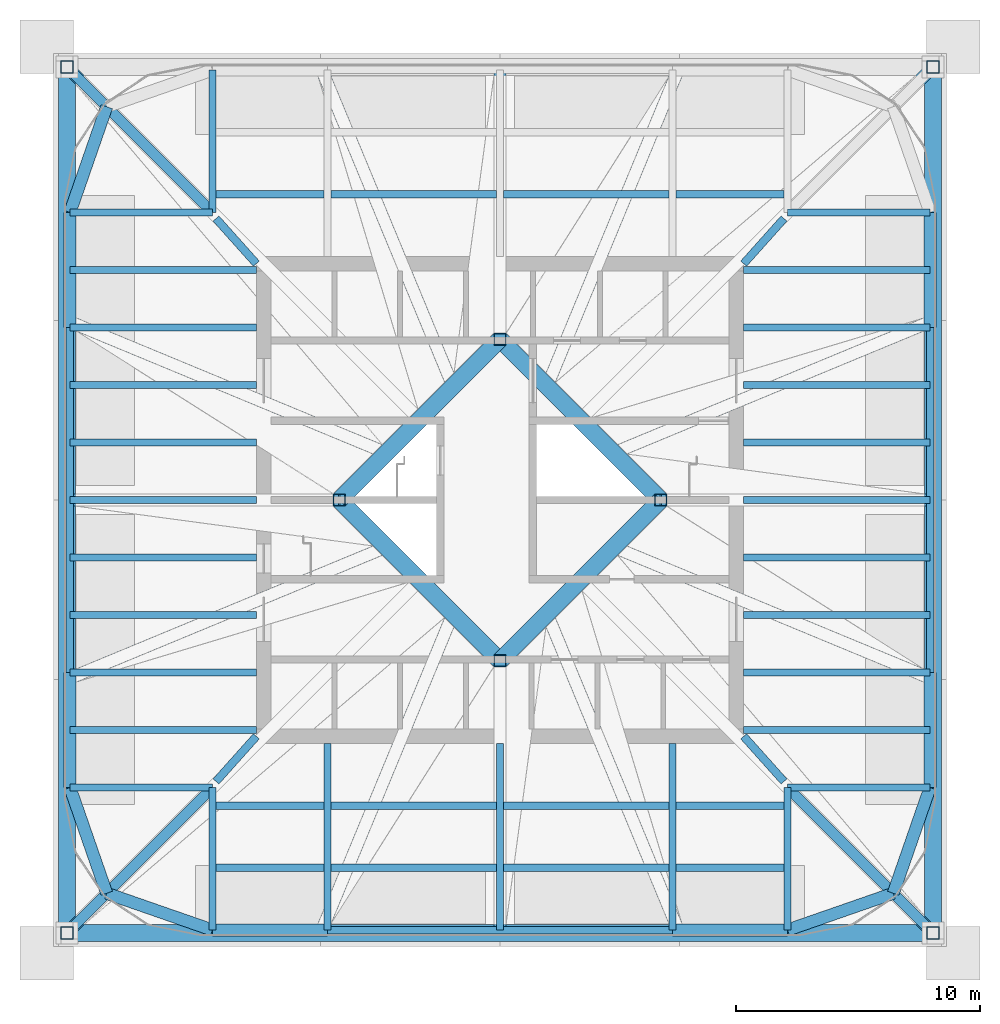
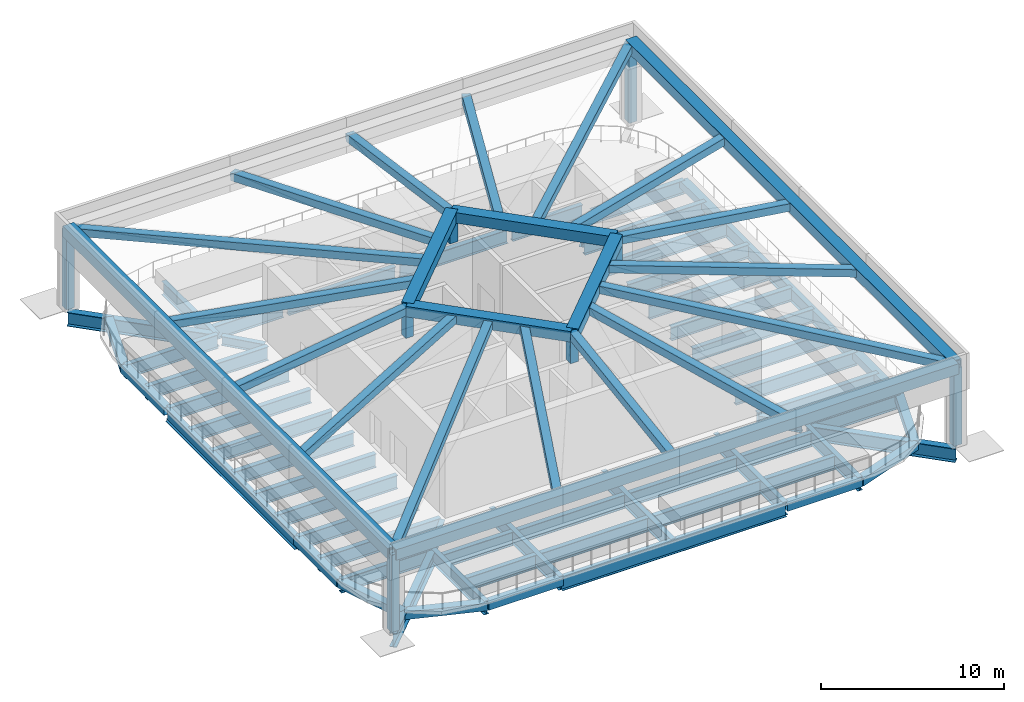
# One storey, part 1 of 7: 61 beams, 23 members, 8 columns.
"""IFC4 building model written with IfcOpenShell, lengths in metres."""

from ifc_helpers import new_model, si_unit, direction, frame, origin, origin_2d, place, context, subcontext, project, spatial, hollow_rectangle, i_section, extrude, clip, halfspace, material, material_profile, profile_set, type_object, element, save


model = new_model("IFC4")

# Units and contexts
model_context = context("Model", 3, precision=1e-05, world=origin(), true_north=direction((0.0, 1.0)))
body_context = subcontext(model_context, "Body", "Model", "MODEL_VIEW")
ifc_project = project(units=[si_unit("LENGTHUNIT", "METRE"), si_unit("AREAUNIT", "SQUARE_METRE"), si_unit("VOLUMEUNIT", "CUBIC_METRE"), si_unit("PLANEANGLEUNIT", "RADIAN"), si_unit("MASSUNIT", "GRAM", prefix="KILO")], contexts=[model_context])

# Site, building, storey
site_placement = place(None, origin())
site = spatial("IfcSite", under=ifc_project, at=site_placement, CompositionType="ELEMENT")
building_placement = place(site_placement, origin())
building = spatial("IfcBuilding", under=site, at=building_placement, Name="Turquesa Mirador Hotel Tower", CompositionType="ELEMENT")
storey_placement = place(building_placement, frame((0.0, 0.0, 272.199951171875)))
storey = spatial("IfcBuildingStorey", under=building, at=storey_placement, Name="RF", CompositionType="ELEMENT", Elevation=272.199951171875)

# Columns
ifc_material_1 = material(Name="Steel ASTM A572 Grade 50", Category="steel")
ifc_material_profile_1 = material_profile(ifc_material_1, hollow_rectangle(XDim=0.5, YDim=0.5, WallThickness=0.01611328125, at=origin_2d()), Name="BOX500X500X16")
ifc_profile_set_1 = profile_set([ifc_material_profile_1], Name="Steel ASTM A572 Grade 50")
column_type_1 = type_object("IfcColumnType", Name="CANOPY POST BOX500X500X16", PredefinedType="COLUMN", material=ifc_profile_set_1)
for number, where, z_axis, x_axis, name in (
    (1, (72.77001953125, 62.77001953125, 0.0), (0.0, 0.0, 1.0), (1.0, 0.0, 0.0), "Canopy post 1"),
    (2, (37.22998046875, 62.77001953125, 0.0), (0.0, 0.0, 1.0), (1.0, 0.0, 0.0), "Canopy post 2"),
    (3, (37.22998046875, 27.22998046875, 0.0), (0.0, 0.0, 1.0), (1.0, 0.0, 0.0), "Canopy post 3"),
    (4, (72.77001953125, 27.22998046875, 0.0), (0.0, 0.0, 1.0), (1.0, 0.0, 0.0), "Canopy post 4"),
):
    element("IfcColumn", number, at=place(storey_placement, frame(where, z_axis=z_axis, x_axis=x_axis)), inside=storey, type_object=column_type_1, Name=name, PredefinedType="COLUMN", context=body_context, shape_type="Clipping", body=[
        clip(extrude(hollow_rectangle(XDim=0.5, YDim=0.5, WallThickness=0.01611328125, at=origin_2d()), origin(), (0.0, 0.0, 1.0), 5.199951171875), halfspace(frame((0.0, 0.0, 0.0400390625), z_axis=(0.0, 0.0, -1.0), x_axis=(1.0, 0.0, 0.0)), False)),
    ])
ifc_material_2 = material(Name="Steel ASTM A572 Grade 50", Category="steel")
ifc_material_profile_2 = material_profile(ifc_material_2, hollow_rectangle(XDim=0.5, YDim=0.5, WallThickness=0.031982421875, at=origin_2d()), Name="BOX500X500X32")
ifc_profile_set_2 = profile_set([ifc_material_profile_2], Name="Steel ASTM A572 Grade 50")
column_type_2 = type_object("IfcColumnType", Name="CANOPY POST BOX500X500X32", PredefinedType="COLUMN", material=ifc_profile_set_2)
for number, where, z_axis, x_axis, name in (
    (5, (61.60009765625, 45.0, 5.0), (0.0, 0.0, 1.0), (1.0, 0.0, 0.0), "Canopy crown post"),
    (6, (55.0, 51.60009765625, 5.0), (0.0, 0.0, 1.0), (1.0, 0.0, 0.0), "Canopy crown post"),
    (7, (48.39990234375, 45.0, 5.0), (0.0, 0.0, 1.0), (1.0, 0.0, 0.0), "Canopy crown post"),
    (8, (55.0, 38.39990234375, 5.0), (0.0, 0.0, 1.0), (1.0, 0.0, 0.0), "Canopy crown post"),
):
    element("IfcColumn", number, at=place(storey_placement, frame(where, z_axis=z_axis, x_axis=x_axis)), inside=storey, type_object=column_type_2, Name=name, PredefinedType="COLUMN", context=body_context, shape_type="SweptSolid", body=[
        extrude(hollow_rectangle(XDim=0.5, YDim=0.5, WallThickness=0.031982421875, at=origin_2d()), origin(), (0.0, 0.0, 1.0), 1.800048828125),
    ])

# Beams
ifc_material_3 = material(Name="Steel ASTM A572 Grade 50", Category="steel")
ifc_material_profile_3 = material_profile(ifc_material_3, hollow_rectangle(XDim=0.5, YDim=0.5, WallThickness=0.01611328125, at=origin_2d()), Name="BOX500X500X16")
ifc_profile_set_3 = profile_set([ifc_material_profile_3], Name="Steel ASTM A572 Grade 50")
beam_type_1 = type_object("IfcBeamType", Name="BEAM BOX500X500X16", PredefinedType="BEAM", material=ifc_profile_set_3)
for number, where, z_axis, x_axis, name in (
    (9, (43.199951171875, 27.35009765625, -0.469970703125), (1.0, 0.0, 0.0), (0.0, 1.0, 0.0), "EB-RF-S-L"),
    (10, (62.080078125, 27.35009765625, -0.469970703125), (1.0, 0.0, 0.0), (0.0, 1.0, 0.0), "EB-RF-S-R"),
    (11, (72.64990234375, 33.199951171875, -0.469970703125), (0.0, 1.0, 0.0), (-1.0, 0.0, 0.0), "EB-RF-E-L"),
    (12, (72.64990234375, 52.080078125, -0.469970703125), (0.0, 1.0, 0.0), (-1.0, 0.0, 0.0), "EB-RF-E-R"),
    (13, (37.35009765625, 33.199951171875, -0.469970703125), (0.0, 1.0, 0.0), (-1.0, 0.0, 0.0), "EB-RF-W-L"),
    (14, (37.35009765625, 52.080078125, -0.469970703125), (0.0, 1.0, 0.0), (-1.0, 0.0, 0.0), "EB-RF-W-R"),
):
    element("IfcBeam", number, at=place(storey_placement, frame(where, z_axis=z_axis, x_axis=x_axis)), inside=storey, type_object=beam_type_1, Name=name, PredefinedType="BEAM", context=body_context, shape_type="SweptSolid", body=[
        extrude(hollow_rectangle(XDim=0.5, YDim=0.5, WallThickness=0.01611328125, at=origin_2d()), origin(), (0.0, 0.0, 1.0), 4.719970703125),
    ])
for number, where, z_axis, x_axis, name in (
    (15, (37.35009765625, 56.800048828125, -0.469970703125), (0.328170356092, 0.944618556552, 0.0), (-0.944618556552, 0.328170356092, 0.0), "KE-RF-2-0"),
    (16, (37.35009765625, 33.199951171875, -0.469970703125), (0.328170356092, -0.944618556552, 0.0), (0.944618556552, 0.328170356092, 0.0), "KE-RF-3-0"),
    (17, (38.8583984375, 28.8583984375, -0.469970703125), (0.944618556552, -0.328170356092, 0.0), (0.328170356092, 0.944618556552, 0.0), "KE-RF-3-1"),
    (18, (72.64990234375, 33.199951171875, -0.469970703125), (-0.328170356092, -0.944618556552, 0.0), (0.944618556552, -0.328170356092, 0.0), "KE-RF-4-0"),
    (19, (71.1416015625, 28.8583984375, -0.469970703125), (-0.944618556552, -0.328170356092, 0.0), (0.328170356092, -0.944618556552, 0.0), "KE-RF-4-1"),
):
    element("IfcBeam", number, at=place(storey_placement, frame(where, z_axis=z_axis, x_axis=x_axis)), inside=storey, type_object=beam_type_1, Name=name, PredefinedType="BEAM", context=body_context, shape_type="SweptSolid", body=[
        extrude(hollow_rectangle(XDim=0.5, YDim=0.5, WallThickness=0.01611328125, at=origin_2d()), origin(), (0.0, 0.0, 1.0), 4.59619140625),
    ])
ifc_material_4 = material(Name="Steel ASTM A992 Grade 50", Category="steel")
ifc_material_profile_4 = material_profile(ifc_material_4, i_section(OverallWidth=0.3251953125, OverallDepth=0.612060546875, WebThickness=0.0126953125, FlangeThickness=0.01904296875, at=origin_2d()), Name="W24X104")
ifc_profile_set_4 = profile_set([ifc_material_profile_4], Name="Steel ASTM A992 Grade 50")
beam_type_2 = type_object("IfcBeamType", Name="BEAM W24X104", PredefinedType="BEAM", material=ifc_profile_set_4)
for number, where, z_axis, x_axis, name in (
    (20, (66.656494140625, 56.55126953125, -0.526123046875), (-0.666806350186, -0.745231032198, 0.0), (0.745231032198, -0.666806350186, 0.0), "KT-RF-1"),
    (21, (43.343505859375, 56.55126953125, -0.526123046875), (0.666806350186, -0.745231032198, 0.0), (0.745231032198, 0.666806350186, 0.0), "KT-RF-2"),
    (22, (43.343505859375, 33.44873046875, -0.526123046875), (0.666806350186, 0.745231032198, 0.0), (-0.745231032198, 0.666806350186, 0.0), "KT-RF-3"),
    (23, (66.656494140625, 33.44873046875, -0.526123046875), (-0.666806350186, 0.745231032198, 0.0), (-0.745231032198, -0.666806350186, 0.0), "KT-RF-4"),
):
    element("IfcBeam", number, at=place(storey_placement, frame(where, z_axis=z_axis, x_axis=x_axis)), inside=storey, type_object=beam_type_2, Name=name, PredefinedType="BEAM", context=body_context, shape_type="SweptSolid", body=[
        extrude(i_section(OverallWidth=0.3251953125, OverallDepth=0.612060546875, WebThickness=0.0126953125, FlangeThickness=0.01904296875, at=origin_2d()), origin(), (0.0, 0.0, 1.0), 2.484130859375),
    ])
ifc_material_5 = material(Name="Steel ASTM A992 Grade 50", Category="steel")
ifc_material_profile_5 = material_profile(ifc_material_5, i_section(OverallWidth=0.3046875, OverallDepth=0.911865234375, WebThickness=0.015869140625, FlangeThickness=0.02392578125, at=origin_2d()), Name="W36X150")
ifc_profile_set_5 = profile_set([ifc_material_profile_5], Name="Steel ASTM A992 Grade 50")
beam_type_3 = type_object("IfcBeamType", Name="BEAM W36X150", PredefinedType="BEAM", material=ifc_profile_set_5)
beam_1_placement = place(storey_placement, frame((43.352294921875, 57.550048828125, -0.67578125), z_axis=(1.0, 0.0, 0.0), x_axis=(0.0, 1.0, 0.0)))
element("IfcBeam", 24, at=beam_1_placement, inside=storey, type_object=beam_type_3, Name="IB-RF-N-1-0", PredefinedType="BEAM", context=body_context, shape_type="SweptSolid", body=[
    extrude(i_section(OverallWidth=0.3046875, OverallDepth=0.911865234375, WebThickness=0.015869140625, FlangeThickness=0.02392578125, at=origin_2d()), origin(), (0.0, 0.0, 1.0), 4.415283203125),
])
for number, where, z_axis, x_axis, name in (
    (25, (48.072509765625, 57.550048828125, -0.67578125), (1.0, 0.0, 0.0), (0.0, 1.0, 0.0), "IB-RF-N-1-1"),
    (26, (55.15234375, 57.550048828125, -0.67578125), (1.0, 0.0, 0.0), (0.0, 1.0, 0.0), "IB-RF-N-1-2"),
):
    element("IfcBeam", number, at=place(storey_placement, frame(where, z_axis=z_axis, x_axis=x_axis)), inside=storey, type_object=beam_type_3, Name=name, PredefinedType="BEAM", context=body_context, shape_type="SweptSolid", body=[
        extrude(i_section(OverallWidth=0.3046875, OverallDepth=0.911865234375, WebThickness=0.015869140625, FlangeThickness=0.02392578125, at=origin_2d()), origin(), (0.0, 0.0, 1.0), 6.775146484375),
    ])
beam_2_placement = place(storey_placement, frame((62.232421875, 57.550048828125, -0.67578125), z_axis=(1.0, 0.0, 0.0), x_axis=(0.0, 1.0, 0.0)))
element("IfcBeam", 27, at=beam_2_placement, inside=storey, type_object=beam_type_3, Name="IB-RF-N-1-3", PredefinedType="BEAM", context=body_context, shape_type="SweptSolid", body=[
    extrude(i_section(OverallWidth=0.3046875, OverallDepth=0.911865234375, WebThickness=0.015869140625, FlangeThickness=0.02392578125, at=origin_2d()), origin(), (0.0, 0.0, 1.0), 4.415283203125),
])
beam_3_placement = place(storey_placement, frame((43.199951171875, 62.64990234375, -0.67578125), z_axis=(0.0, -1.0, 0.0), x_axis=(1.0, 0.0, 0.0)))
element("IfcBeam", 28, at=beam_3_placement, inside=storey, type_object=beam_type_3, Name="GK-RF-N--11.80", PredefinedType="BEAM", context=body_context, shape_type="SweptSolid", body=[
    extrude(i_section(OverallWidth=0.3046875, OverallDepth=0.911865234375, WebThickness=0.015869140625, FlangeThickness=0.02392578125, at=origin_2d()), origin(), (0.0, 0.0, 1.0), 5.849853515625),
])
for number, where, z_axis, x_axis, name in (
    (29, (47.919921875, 27.35009765625, -0.67578125), (0.0, 1.0, 0.0), (-1.0, 0.0, 0.0), "GD-RF-S--7.08"),
    (30, (62.080078125, 27.35009765625, -0.67578125), (0.0, 1.0, 0.0), (-1.0, 0.0, 0.0), "GD-RF-S-+7.08"),
    (31, (55.0, 27.35009765625, -0.67578125), (0.0, 1.0, 0.0), (-1.0, 0.0, 0.0), "GD-RF-S-+0.00"),
):
    element("IfcBeam", number, at=place(storey_placement, frame(where, z_axis=z_axis, x_axis=x_axis)), inside=storey, type_object=beam_type_3, Name=name, PredefinedType="BEAM", context=body_context, shape_type="SweptSolid", body=[
        extrude(i_section(OverallWidth=0.3046875, OverallDepth=0.911865234375, WebThickness=0.015869140625, FlangeThickness=0.02392578125, at=origin_2d()), origin(), (0.0, 0.0, 1.0), 7.64990234375),
    ])
beam_4_placement = place(storey_placement, frame((43.352294921875, 32.449951171875, -0.67578125), z_axis=(1.0, 0.0, 0.0), x_axis=(0.0, 1.0, 0.0)))
element("IfcBeam", 32, at=beam_4_placement, inside=storey, type_object=beam_type_3, Name="IB-RF-S-1-0", PredefinedType="BEAM", context=body_context, shape_type="SweptSolid", body=[
    extrude(i_section(OverallWidth=0.3046875, OverallDepth=0.911865234375, WebThickness=0.015869140625, FlangeThickness=0.02392578125, at=origin_2d()), origin(), (0.0, 0.0, 1.0), 4.415283203125),
])
for number, where, z_axis, x_axis, name in (
    (33, (48.072509765625, 32.449951171875, -0.67578125), (1.0, 0.0, 0.0), (0.0, 1.0, 0.0), "IB-RF-S-1-1"),
    (34, (55.15234375, 32.449951171875, -0.67578125), (1.0, 0.0, 0.0), (0.0, 1.0, 0.0), "IB-RF-S-1-2"),
):
    element("IfcBeam", number, at=place(storey_placement, frame(where, z_axis=z_axis, x_axis=x_axis)), inside=storey, type_object=beam_type_3, Name=name, PredefinedType="BEAM", context=body_context, shape_type="SweptSolid", body=[
        extrude(i_section(OverallWidth=0.3046875, OverallDepth=0.911865234375, WebThickness=0.015869140625, FlangeThickness=0.02392578125, at=origin_2d()), origin(), (0.0, 0.0, 1.0), 6.775146484375),
    ])
for number, where, z_axis, x_axis, name in (
    (35, (62.232421875, 32.449951171875, -0.67578125), (1.0, 0.0, 0.0), (0.0, 1.0, 0.0), "IB-RF-S-1-3"),
    (36, (43.352294921875, 29.89990234375, -0.67578125), (1.0, 0.0, 0.0), (0.0, 1.0, 0.0), "IB-RF-S-2-0"),
):
    element("IfcBeam", number, at=place(storey_placement, frame(where, z_axis=z_axis, x_axis=x_axis)), inside=storey, type_object=beam_type_3, Name=name, PredefinedType="BEAM", context=body_context, shape_type="SweptSolid", body=[
        extrude(i_section(OverallWidth=0.3046875, OverallDepth=0.911865234375, WebThickness=0.015869140625, FlangeThickness=0.02392578125, at=origin_2d()), origin(), (0.0, 0.0, 1.0), 4.415283203125),
    ])
for number, where, z_axis, x_axis, name in (
    (37, (48.072509765625, 29.89990234375, -0.67578125), (1.0, 0.0, 0.0), (0.0, 1.0, 0.0), "IB-RF-S-2-1"),
    (38, (55.15234375, 29.89990234375, -0.67578125), (1.0, 0.0, 0.0), (0.0, 1.0, 0.0), "IB-RF-S-2-2"),
):
    element("IfcBeam", number, at=place(storey_placement, frame(where, z_axis=z_axis, x_axis=x_axis)), inside=storey, type_object=beam_type_3, Name=name, PredefinedType="BEAM", context=body_context, shape_type="SweptSolid", body=[
        extrude(i_section(OverallWidth=0.3046875, OverallDepth=0.911865234375, WebThickness=0.015869140625, FlangeThickness=0.02392578125, at=origin_2d()), origin(), (0.0, 0.0, 1.0), 6.775146484375),
    ])
beam_5_placement = place(storey_placement, frame((62.232421875, 29.89990234375, -0.67578125), z_axis=(1.0, 0.0, 0.0), x_axis=(0.0, 1.0, 0.0)))
element("IfcBeam", 39, at=beam_5_placement, inside=storey, type_object=beam_type_3, Name="IB-RF-S-2-3", PredefinedType="BEAM", context=body_context, shape_type="SweptSolid", body=[
    extrude(i_section(OverallWidth=0.3046875, OverallDepth=0.911865234375, WebThickness=0.015869140625, FlangeThickness=0.02392578125, at=origin_2d()), origin(), (0.0, 0.0, 1.0), 4.415283203125),
])
for number, where, z_axis, x_axis, name in (
    (40, (43.199951171875, 27.35009765625, -0.67578125), (0.0, 1.0, 0.0), (-1.0, 0.0, 0.0), "GK-RF-S--11.80"),
    (41, (66.800048828125, 27.35009765625, -0.67578125), (0.0, 1.0, 0.0), (-1.0, 0.0, 0.0), "GK-RF-S-+11.80"),
):
    element("IfcBeam", number, at=place(storey_placement, frame(where, z_axis=z_axis, x_axis=x_axis)), inside=storey, type_object=beam_type_3, Name=name, PredefinedType="BEAM", context=body_context, shape_type="SweptSolid", body=[
        extrude(i_section(OverallWidth=0.3046875, OverallDepth=0.911865234375, WebThickness=0.015869140625, FlangeThickness=0.02392578125, at=origin_2d()), origin(), (0.0, 0.0, 1.0), 5.849853515625),
    ])
beam_6_placement = place(storey_placement, frame((47.919921875, 27.35009765625, -0.67578125), z_axis=(1.0, 0.0, 0.0), x_axis=(0.0, 1.0, 0.0)))
element("IfcBeam", 42, at=beam_6_placement, inside=storey, type_object=beam_type_3, Name="EB-RF-S-C", PredefinedType="BEAM", context=body_context, shape_type="SweptSolid", body=[
    extrude(i_section(OverallWidth=0.3046875, OverallDepth=0.911865234375, WebThickness=0.015869140625, FlangeThickness=0.02392578125, at=origin_2d()), origin(), (0.0, 0.0, 1.0), 14.16015625),
])
for number, where, z_axis, x_axis, name in (
    (43, (72.64990234375, 35.56005859375, -0.67578125), (-1.0, 0.0, 0.0), (0.0, -1.0, 0.0), "BM-RF-E--9.44"),
    (44, (72.64990234375, 40.280029296875, -0.67578125), (-1.0, 0.0, 0.0), (0.0, -1.0, 0.0), "BM-RF-E--4.72"),
    (45, (72.64990234375, 42.639892578125, -0.67578125), (-1.0, 0.0, 0.0), (0.0, -1.0, 0.0), "BM-RF-E--2.36"),
    (46, (72.64990234375, 45.0, -0.67578125), (-1.0, 0.0, 0.0), (0.0, -1.0, 0.0), "BM-RF-E-+0.00"),
    (47, (72.64990234375, 47.360107421875, -0.67578125), (-1.0, 0.0, 0.0), (0.0, -1.0, 0.0), "BM-RF-E-+2.36"),
    (48, (72.64990234375, 49.719970703125, -0.67578125), (-1.0, 0.0, 0.0), (0.0, -1.0, 0.0), "BM-RF-E-+4.72"),
    (49, (72.64990234375, 54.43994140625, -0.67578125), (-1.0, 0.0, 0.0), (0.0, -1.0, 0.0), "BM-RF-E-+9.44"),
    (50, (72.64990234375, 37.919921875, -0.67578125), (-1.0, 0.0, 0.0), (0.0, -1.0, 0.0), "GD-RF-E--7.08"),
    (51, (72.64990234375, 52.080078125, -0.67578125), (-1.0, 0.0, 0.0), (0.0, -1.0, 0.0), "GD-RF-E-+7.08"),
):
    element("IfcBeam", number, at=place(storey_placement, frame(where, z_axis=z_axis, x_axis=x_axis)), inside=storey, type_object=beam_type_3, Name=name, PredefinedType="BEAM", context=body_context, shape_type="SweptSolid", body=[
        extrude(i_section(OverallWidth=0.3046875, OverallDepth=0.911865234375, WebThickness=0.015869140625, FlangeThickness=0.02392578125, at=origin_2d()), origin(), (0.0, 0.0, 1.0), 7.64990234375),
    ])
for number, where, z_axis, x_axis, name in (
    (52, (72.64990234375, 33.199951171875, -0.67578125), (-1.0, 0.0, 0.0), (0.0, -1.0, 0.0), "GK-RF-E--11.80"),
    (53, (72.64990234375, 56.800048828125, -0.67578125), (-1.0, 0.0, 0.0), (0.0, -1.0, 0.0), "GK-RF-E-+11.80"),
):
    element("IfcBeam", number, at=place(storey_placement, frame(where, z_axis=z_axis, x_axis=x_axis)), inside=storey, type_object=beam_type_3, Name=name, PredefinedType="BEAM", context=body_context, shape_type="SweptSolid", body=[
        extrude(i_section(OverallWidth=0.3046875, OverallDepth=0.911865234375, WebThickness=0.015869140625, FlangeThickness=0.02392578125, at=origin_2d()), origin(), (0.0, 0.0, 1.0), 5.849853515625),
    ])
beam_7_placement = place(storey_placement, frame((72.64990234375, 37.919921875, -0.67578125), z_axis=(0.0, 1.0, 0.0), x_axis=(-1.0, 0.0, 0.0)))
element("IfcBeam", 54, at=beam_7_placement, inside=storey, type_object=beam_type_3, Name="EB-RF-E-C", PredefinedType="BEAM", context=body_context, shape_type="SweptSolid", body=[
    extrude(i_section(OverallWidth=0.3046875, OverallDepth=0.911865234375, WebThickness=0.015869140625, FlangeThickness=0.02392578125, at=origin_2d()), origin(), (0.0, 0.0, 1.0), 14.16015625),
])
for number, where, z_axis, x_axis, name in (
    (55, (37.35009765625, 35.56005859375, -0.67578125), (1.0, 0.0, 0.0), (0.0, 1.0, 0.0), "BM-RF-W--9.44"),
    (56, (37.35009765625, 40.280029296875, -0.67578125), (1.0, 0.0, 0.0), (0.0, 1.0, 0.0), "BM-RF-W--4.72"),
    (57, (37.35009765625, 42.639892578125, -0.67578125), (1.0, 0.0, 0.0), (0.0, 1.0, 0.0), "BM-RF-W--2.36"),
    (58, (37.35009765625, 45.0, -0.67578125), (1.0, 0.0, 0.0), (0.0, 1.0, 0.0), "BM-RF-W-+0.00"),
    (59, (37.35009765625, 47.360107421875, -0.67578125), (1.0, 0.0, 0.0), (0.0, 1.0, 0.0), "BM-RF-W-+2.36"),
    (60, (37.35009765625, 49.719970703125, -0.67578125), (1.0, 0.0, 0.0), (0.0, 1.0, 0.0), "BM-RF-W-+4.72"),
    (61, (37.35009765625, 54.43994140625, -0.67578125), (1.0, 0.0, 0.0), (0.0, 1.0, 0.0), "BM-RF-W-+9.44"),
    (62, (37.35009765625, 37.919921875, -0.67578125), (1.0, 0.0, 0.0), (0.0, 1.0, 0.0), "GD-RF-W--7.08"),
    (63, (37.35009765625, 52.080078125, -0.67578125), (1.0, 0.0, 0.0), (0.0, 1.0, 0.0), "GD-RF-W-+7.08"),
):
    element("IfcBeam", number, at=place(storey_placement, frame(where, z_axis=z_axis, x_axis=x_axis)), inside=storey, type_object=beam_type_3, Name=name, PredefinedType="BEAM", context=body_context, shape_type="SweptSolid", body=[
        extrude(i_section(OverallWidth=0.3046875, OverallDepth=0.911865234375, WebThickness=0.015869140625, FlangeThickness=0.02392578125, at=origin_2d()), origin(), (0.0, 0.0, 1.0), 7.64990234375),
    ])
for number, where, z_axis, x_axis, name in (
    (64, (37.35009765625, 33.199951171875, -0.67578125), (1.0, 0.0, 0.0), (0.0, 1.0, 0.0), "GK-RF-W--11.80"),
    (65, (37.35009765625, 56.800048828125, -0.67578125), (1.0, 0.0, 0.0), (0.0, 1.0, 0.0), "GK-RF-W-+11.80"),
):
    element("IfcBeam", number, at=place(storey_placement, frame(where, z_axis=z_axis, x_axis=x_axis)), inside=storey, type_object=beam_type_3, Name=name, PredefinedType="BEAM", context=body_context, shape_type="SweptSolid", body=[
        extrude(i_section(OverallWidth=0.3046875, OverallDepth=0.911865234375, WebThickness=0.015869140625, FlangeThickness=0.02392578125, at=origin_2d()), origin(), (0.0, 0.0, 1.0), 5.849853515625),
    ])
beam_8_placement = place(storey_placement, frame((37.35009765625, 37.919921875, -0.67578125), z_axis=(0.0, 1.0, 0.0), x_axis=(-1.0, 0.0, 0.0)))
element("IfcBeam", 66, at=beam_8_placement, inside=storey, type_object=beam_type_3, Name="EB-RF-W-C", PredefinedType="BEAM", context=body_context, shape_type="SweptSolid", body=[
    extrude(i_section(OverallWidth=0.3046875, OverallDepth=0.911865234375, WebThickness=0.015869140625, FlangeThickness=0.02392578125, at=origin_2d()), origin(), (0.0, 0.0, 1.0), 14.16015625),
])
ifc_material_6 = material(Name="Steel ASTM A992 Grade 50", Category="steel")
ifc_material_profile_6 = material_profile(ifc_material_6, i_section(OverallWidth=0.419189453125, OverallDepth=0.927001953125, WebThickness=0.019287109375, FlangeThickness=0.031982421875, at=origin_2d()), Name="W36X231")
ifc_profile_set_6 = profile_set([ifc_material_profile_6], Name="Steel ASTM A992 Grade 50")
beam_type_4 = type_object("IfcBeamType", Name="BEAM W36X231", PredefinedType="BEAM", material=ifc_profile_set_6)
for number, where, z_axis, x_axis, name in (
    (67, (43.199951171875, 56.800048828125, -0.68359375), (-0.707106781187, 0.707106781187, 0.0), (-0.707106781187, -0.707106781187, 0.0), "KD-RF-2"),
    (68, (43.199951171875, 33.199951171875, -0.68359375), (-0.707106781187, -0.707106781187, 0.0), (0.707106781187, -0.707106781187, 0.0), "KD-RF-3"),
    (69, (66.800048828125, 33.199951171875, -0.68359375), (0.707106781187, -0.707106781187, 0.0), (0.707106781187, 0.707106781187, 0.0), "KD-RF-4"),
):
    element("IfcBeam", number, at=place(storey_placement, frame(where, z_axis=z_axis, x_axis=x_axis)), inside=storey, type_object=beam_type_4, Name=name, PredefinedType="BEAM", context=body_context, shape_type="SweptSolid", body=[
        extrude(i_section(OverallWidth=0.419189453125, OverallDepth=0.927001953125, WebThickness=0.019287109375, FlangeThickness=0.031982421875, at=origin_2d()), origin(), (0.0, 0.0, 1.0), 8.46240234375),
    ])

# Members
ifc_material_7 = material(Name="Steel ASTM A572 Grade 50", Category="steel")
ifc_material_profile_7 = material_profile(ifc_material_7, hollow_rectangle(XDim=0.699951171875, YDim=0.699951171875, WallThickness=0.06005859375, at=origin_2d()), Name="BOX700X700X60")
ifc_profile_set_7 = profile_set([ifc_material_profile_7], Name="Steel ASTM A572 Grade 50")
member_type_1 = type_object("IfcMemberType", Name="CANOPY EDGE GIRDER BOX700X700X60", PredefinedType="MEMBER", material=ifc_profile_set_7)
for number, where, z_axis, x_axis, name in (
    (70, (37.22998046875, 62.77001953125, 5.199951171875), (0.0, -1.0, 0.0), (1.0, 0.0, 0.0), "Canopy edge rib"),
    (71, (37.22998046875, 27.22998046875, 5.199951171875), (1.0, 0.0, 0.0), (0.0, 1.0, 0.0), "Canopy edge rib"),
    (72, (72.77001953125, 27.22998046875, 5.199951171875), (0.0, 1.0, 0.0), (-1.0, 0.0, 0.0), "Canopy edge rib"),
):
    element("IfcMember", number, at=place(storey_placement, frame(where, z_axis=z_axis, x_axis=x_axis)), inside=storey, type_object=member_type_1, Name=name, PredefinedType="MEMBER", context=body_context, shape_type="SweptSolid", body=[
        extrude(hollow_rectangle(XDim=0.699951171875, YDim=0.699951171875, WallThickness=0.06005859375, at=origin_2d()), origin(), (0.0, 0.0, 1.0), 35.5400390625),
    ])
ifc_material_8 = material(Name="Steel ASTM A572 Grade 50", Category="steel")
ifc_material_profile_8 = material_profile(ifc_material_8, hollow_rectangle(XDim=0.5, YDim=0.5, WallThickness=0.01611328125, at=origin_2d()), Name="BOX500X500X16")
ifc_profile_set_8 = profile_set([ifc_material_profile_8], Name="Steel ASTM A572 Grade 50")
member_type_2 = type_object("IfcMemberType", Name="CANOPY RIB BOX500X500X16", PredefinedType="RAFTER", material=ifc_profile_set_8)
member_1_placement = place(storey_placement, frame((72.77001953125, 45.0, 5.199951171875), z_axis=(-0.989894897114, 0.0, 0.14180300655), x_axis=(0.0, -1.0, 0.0)))
element("IfcMember", 73, at=member_1_placement, inside=storey, type_object=member_type_2, Name="Canopy rib", PredefinedType="RAFTER", context=body_context, shape_type="SweptSolid", body=[
    extrude(hollow_rectangle(XDim=0.5, YDim=0.5, WallThickness=0.01611328125, at=origin_2d()), origin(), (0.0, 0.0, 1.0), 11.283935546875),
])
member_2_placement = place(storey_placement, frame((72.77001953125, 52.360595703125, 5.199951171875), z_axis=(-0.918054288147, -0.380273241658, 0.112109703829), x_axis=(0.382685755455, -0.923878570252, 0.0)))
element("IfcMember", 74, at=member_2_placement, inside=storey, type_object=member_type_2, Name="Canopy rib", PredefinedType="RAFTER", context=body_context, shape_type="SweptSolid", body=[
    extrude(hollow_rectangle(XDim=0.5, YDim=0.5, WallThickness=0.01611328125, at=origin_2d()), origin(), (0.0, 0.0, 1.0), 14.272705078125),
])
member_3_placement = place(storey_placement, frame((72.77001953125, 62.77001953125, 5.199951171875), z_axis=(-0.704955006586, -0.704955006586, 0.077954328792), x_axis=(0.707106781187, -0.707106781187, 0.0)))
element("IfcMember", 75, at=member_3_placement, inside=storey, type_object=member_type_2, Name="Canopy rib", PredefinedType="RAFTER", context=body_context, shape_type="SweptSolid", body=[
    extrude(hollow_rectangle(XDim=0.5, YDim=0.5, WallThickness=0.01611328125, at=origin_2d()), origin(), (0.0, 0.0, 1.0), 20.526123046875),
])
member_4_placement = place(storey_placement, frame((62.360595703125, 62.77001953125, 5.199951171875), z_axis=(-0.380273241658, -0.918054288147, 0.112109703829), x_axis=(0.923878570252, -0.382685755455, 0.0)))
element("IfcMember", 76, at=member_4_placement, inside=storey, type_object=member_type_2, Name="Canopy rib", PredefinedType="RAFTER", context=body_context, shape_type="SweptSolid", body=[
    extrude(hollow_rectangle(XDim=0.5, YDim=0.5, WallThickness=0.01611328125, at=origin_2d()), origin(), (0.0, 0.0, 1.0), 14.272705078125),
])
member_5_placement = place(storey_placement, frame((55.0, 62.77001953125, 5.199951171875), z_axis=(0.0, -0.989894897114, 0.14180300655), x_axis=(1.0, 0.0, 0.0)))
element("IfcMember", 77, at=member_5_placement, inside=storey, type_object=member_type_2, Name="Canopy rib", PredefinedType="RAFTER", context=body_context, shape_type="SweptSolid", body=[
    extrude(hollow_rectangle(XDim=0.5, YDim=0.5, WallThickness=0.01611328125, at=origin_2d()), origin(), (0.0, 0.0, 1.0), 11.283935546875),
])
member_6_placement = place(storey_placement, frame((47.639404296875, 62.77001953125, 5.199951171875), z_axis=(0.380273241658, -0.918054288147, 0.112109703829), x_axis=(0.923878570252, 0.382685755455, 0.0)))
element("IfcMember", 78, at=member_6_placement, inside=storey, type_object=member_type_2, Name="Canopy rib", PredefinedType="RAFTER", context=body_context, shape_type="SweptSolid", body=[
    extrude(hollow_rectangle(XDim=0.5, YDim=0.5, WallThickness=0.01611328125, at=origin_2d()), origin(), (0.0, 0.0, 1.0), 14.272705078125),
])
member_7_placement = place(storey_placement, frame((37.22998046875, 62.77001953125, 5.199951171875), z_axis=(0.704955006586, -0.704955006586, 0.077954328792), x_axis=(0.707106781187, 0.707106781187, 0.0)))
element("IfcMember", 79, at=member_7_placement, inside=storey, type_object=member_type_2, Name="Canopy rib", PredefinedType="RAFTER", context=body_context, shape_type="SweptSolid", body=[
    extrude(hollow_rectangle(XDim=0.5, YDim=0.5, WallThickness=0.01611328125, at=origin_2d()), origin(), (0.0, 0.0, 1.0), 20.526123046875),
])
member_8_placement = place(storey_placement, frame((37.22998046875, 52.360595703125, 5.199951171875), z_axis=(0.918054288147, -0.380273241658, 0.112109703829), x_axis=(0.382685755455, 0.923878570252, 0.0)))
element("IfcMember", 80, at=member_8_placement, inside=storey, type_object=member_type_2, Name="Canopy rib", PredefinedType="RAFTER", context=body_context, shape_type="SweptSolid", body=[
    extrude(hollow_rectangle(XDim=0.5, YDim=0.5, WallThickness=0.01611328125, at=origin_2d()), origin(), (0.0, 0.0, 1.0), 14.272705078125),
])
member_9_placement = place(storey_placement, frame((37.22998046875, 45.0, 5.199951171875), z_axis=(0.989894897114, 0.0, 0.14180300655), x_axis=(0.0, 1.0, 0.0)))
element("IfcMember", 81, at=member_9_placement, inside=storey, type_object=member_type_2, Name="Canopy rib", PredefinedType="RAFTER", context=body_context, shape_type="SweptSolid", body=[
    extrude(hollow_rectangle(XDim=0.5, YDim=0.5, WallThickness=0.01611328125, at=origin_2d()), origin(), (0.0, 0.0, 1.0), 11.283935546875),
])
member_10_placement = place(storey_placement, frame((37.22998046875, 37.639404296875, 5.199951171875), z_axis=(0.918054288147, 0.380273241658, 0.112109703829), x_axis=(-0.382685755455, 0.923878570252, 0.0)))
element("IfcMember", 82, at=member_10_placement, inside=storey, type_object=member_type_2, Name="Canopy rib", PredefinedType="RAFTER", context=body_context, shape_type="SweptSolid", body=[
    extrude(hollow_rectangle(XDim=0.5, YDim=0.5, WallThickness=0.01611328125, at=origin_2d()), origin(), (0.0, 0.0, 1.0), 14.272705078125),
])
member_11_placement = place(storey_placement, frame((37.22998046875, 27.22998046875, 5.199951171875), z_axis=(0.704955006586, 0.704955006586, 0.077954328792), x_axis=(-0.707106781187, 0.707106781187, 0.0)))
element("IfcMember", 83, at=member_11_placement, inside=storey, type_object=member_type_2, Name="Canopy rib", PredefinedType="RAFTER", context=body_context, shape_type="SweptSolid", body=[
    extrude(hollow_rectangle(XDim=0.5, YDim=0.5, WallThickness=0.01611328125, at=origin_2d()), origin(), (0.0, 0.0, 1.0), 20.526123046875),
])
member_12_placement = place(storey_placement, frame((47.639404296875, 27.22998046875, 5.199951171875), z_axis=(0.380273241658, 0.918054288147, 0.112109703829), x_axis=(-0.923878570252, 0.382685755455, 0.0)))
element("IfcMember", 84, at=member_12_placement, inside=storey, type_object=member_type_2, Name="Canopy rib", PredefinedType="RAFTER", context=body_context, shape_type="SweptSolid", body=[
    extrude(hollow_rectangle(XDim=0.5, YDim=0.5, WallThickness=0.01611328125, at=origin_2d()), origin(), (0.0, 0.0, 1.0), 14.272705078125),
])
member_13_placement = place(storey_placement, frame((55.0, 27.22998046875, 5.199951171875), z_axis=(0.0, 0.989894897114, 0.14180300655), x_axis=(-1.0, 0.0, 0.0)))
element("IfcMember", 85, at=member_13_placement, inside=storey, type_object=member_type_2, Name="Canopy rib", PredefinedType="RAFTER", context=body_context, shape_type="SweptSolid", body=[
    extrude(hollow_rectangle(XDim=0.5, YDim=0.5, WallThickness=0.01611328125, at=origin_2d()), origin(), (0.0, 0.0, 1.0), 11.283935546875),
])
member_14_placement = place(storey_placement, frame((62.360595703125, 27.22998046875, 5.199951171875), z_axis=(-0.380273241658, 0.918054288147, 0.112109703829), x_axis=(-0.923878570252, -0.382685755455, 0.0)))
element("IfcMember", 86, at=member_14_placement, inside=storey, type_object=member_type_2, Name="Canopy rib", PredefinedType="RAFTER", context=body_context, shape_type="SweptSolid", body=[
    extrude(hollow_rectangle(XDim=0.5, YDim=0.5, WallThickness=0.01611328125, at=origin_2d()), origin(), (0.0, 0.0, 1.0), 14.272705078125),
])
member_15_placement = place(storey_placement, frame((72.77001953125, 27.22998046875, 5.199951171875), z_axis=(-0.704955006586, 0.704955006586, 0.077954328792), x_axis=(-0.707106781187, -0.707106781187, 0.0)))
element("IfcMember", 87, at=member_15_placement, inside=storey, type_object=member_type_2, Name="Canopy rib", PredefinedType="RAFTER", context=body_context, shape_type="SweptSolid", body=[
    extrude(hollow_rectangle(XDim=0.5, YDim=0.5, WallThickness=0.01611328125, at=origin_2d()), origin(), (0.0, 0.0, 1.0), 20.526123046875),
])
member_16_placement = place(storey_placement, frame((72.77001953125, 37.639404296875, 5.199951171875), z_axis=(-0.918054288147, 0.380273241658, 0.112109703829), x_axis=(-0.382685755455, -0.923878570252, 0.0)))
element("IfcMember", 88, at=member_16_placement, inside=storey, type_object=member_type_2, Name="Canopy rib", PredefinedType="RAFTER", context=body_context, shape_type="SweptSolid", body=[
    extrude(hollow_rectangle(XDim=0.5, YDim=0.5, WallThickness=0.01611328125, at=origin_2d()), origin(), (0.0, 0.0, 1.0), 14.272705078125),
])
ifc_material_9 = material(Name="Steel ASTM A572 Grade 50", Category="steel")
ifc_material_profile_9 = material_profile(ifc_material_9, hollow_rectangle(XDim=0.699951171875, YDim=0.699951171875, WallThickness=0.06005859375, at=origin_2d()), Name="BOX700X700X60")
ifc_profile_set_9 = profile_set([ifc_material_profile_9], Name="Steel ASTM A572 Grade 50")
member_type_3 = type_object("IfcMemberType", Name="CANOPY RING BOX700X700X60", PredefinedType="MEMBER", material=ifc_profile_set_9)
for number, where, z_axis, x_axis, name in (
    (89, (61.60009765625, 45.0, 6.800048828125), (-0.707106781187, 0.707106781187, 0.0), (-0.707106781187, -0.707106781187, 0.0), "Canopy crown frame"),
    (90, (55.0, 51.60009765625, 6.800048828125), (-0.707106781187, -0.707106781187, 0.0), (0.707106781187, -0.707106781187, 0.0), "Canopy crown frame"),
    (91, (48.39990234375, 45.0, 6.800048828125), (0.707106781187, -0.707106781187, 0.0), (0.707106781187, 0.707106781187, 0.0), "Canopy crown frame"),
    (92, (55.0, 38.39990234375, 6.800048828125), (0.707106781187, 0.707106781187, 0.0), (-0.707106781187, 0.707106781187, 0.0), "Canopy crown frame"),
):
    element("IfcMember", number, at=place(storey_placement, frame(where, z_axis=z_axis, x_axis=x_axis)), inside=storey, type_object=member_type_3, Name=name, PredefinedType="MEMBER", context=body_context, shape_type="SweptSolid", body=[
        extrude(hollow_rectangle(XDim=0.699951171875, YDim=0.699951171875, WallThickness=0.06005859375, at=origin_2d()), origin(), (0.0, 0.0, 1.0), 9.333984375),
    ])

save(model, "model.ifc")
